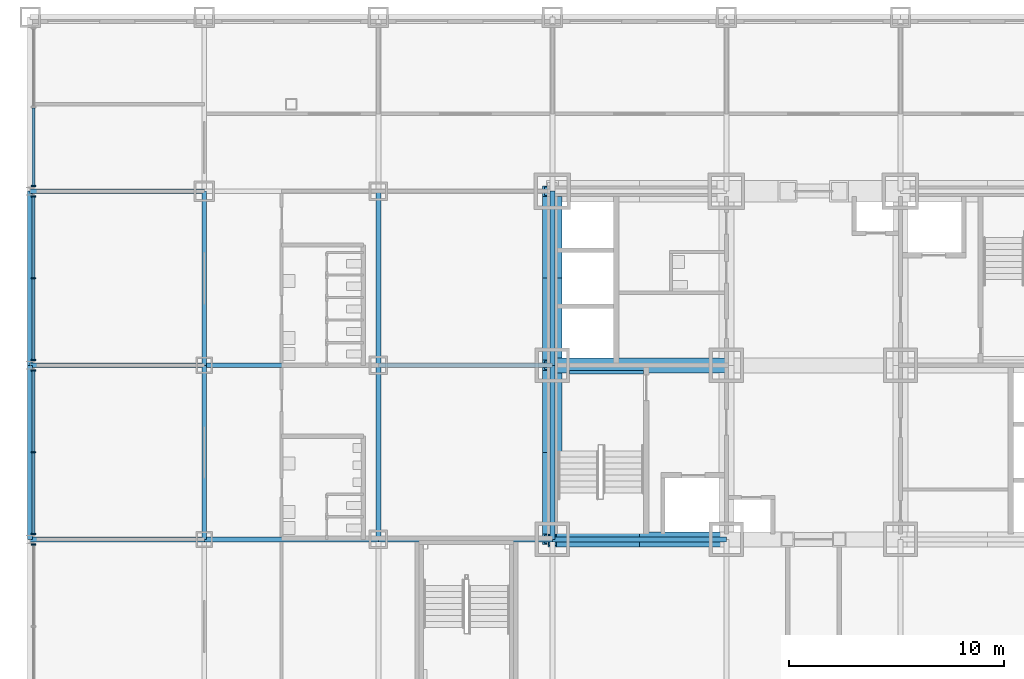
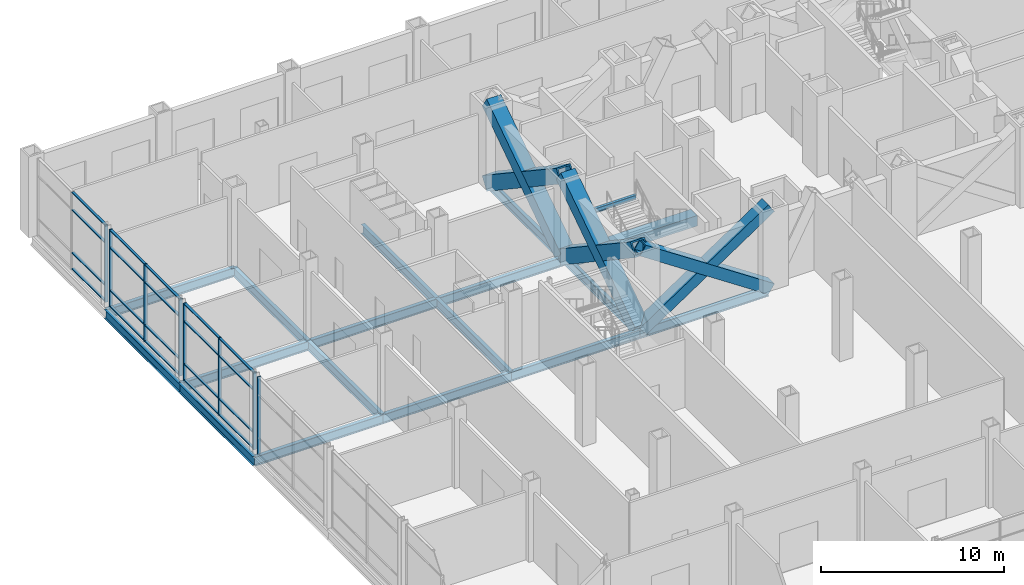
# One storey, part 14 of 30: 34 members, 18 beams, 4 elements without a shape of their own.
"""IFC4 building model written with IfcOpenShell, lengths in metres."""

from ifc_helpers import new_model, si_unit, direction, frame, origin, origin_2d, place, context, subcontext, project, spatial, rectangle, hollow_rectangle, i_section, extrude, material, material_profile, profile_set, type_object, element, aggregate, save


model = new_model("IFC4")

# Units and contexts
model_context = context("Model", 3, precision=1e-05, world=origin(), true_north=direction((0.0, 1.0)))
body_context = subcontext(model_context, "Body", "Model", "MODEL_VIEW")
ifc_project = project(units=[si_unit("LENGTHUNIT", "METRE"), si_unit("AREAUNIT", "SQUARE_METRE"), si_unit("VOLUMEUNIT", "CUBIC_METRE"), si_unit("PLANEANGLEUNIT", "RADIAN"), si_unit("MASSUNIT", "GRAM", prefix="KILO")], contexts=[model_context])

# Site, building, storey
site_placement = place(None, origin())
site = spatial("IfcSite", under=ifc_project, at=site_placement, CompositionType="ELEMENT")
building_placement = place(site_placement, origin())
building = spatial("IfcBuilding", under=site, at=building_placement, Name="Kopane Lantern Tower", CompositionType="ELEMENT")
storey_placement = place(building_placement, frame((0.0, 0.0, 6.0)))
storey = spatial("IfcBuildingStorey", under=building, at=storey_placement, Name="L01", CompositionType="ELEMENT", Elevation=6.0)

# Members
ifc_material_1 = material(Name="Steel S355JR", Category="steel")
ifc_material_profile_1 = material_profile(ifc_material_1, hollow_rectangle(XDim=0.699951171875, YDim=0.699951171875, WallThickness=0.06005859375, at=origin_2d()), Name="BOX 700x700x60")
ifc_profile_set_1 = profile_set([ifc_material_profile_1], Name="Steel S355JR")
member_type_1 = type_object("IfcMemberType", Name="BRACE BOX 700x700x60", PredefinedType="BRACE", material=ifc_profile_set_1)
for number, where, z_axis, x_axis, name in (
    (1, (16.199951171875, 24.300048828125, -0.25), (0.832058010752, 0.0, 0.55468862143), (0.0, 1.0, 0.0), "Core brace L01"),
    (2, (24.300048828125, 24.300048828125, -0.25), (-0.832058010752, 0.0, 0.55468862143), (0.0, -1.0, 0.0), "Core brace L01"),
):
    element("IfcMember", number, at=place(storey_placement, frame(where, z_axis=z_axis, x_axis=x_axis)), inside=storey, type_object=member_type_1, Name=name, PredefinedType="BRACE", context=body_context, shape_type="SweptSolid", body=[
        extrude(hollow_rectangle(XDim=0.699951171875, YDim=0.699951171875, WallThickness=0.06005859375, at=origin_2d()), origin(), (0.0, 0.0, 1.0), 9.735107421875),
    ])
ifc_material_2 = material(Name="Steel S355JR", Category="steel")
ifc_material_profile_2 = material_profile(ifc_material_2, hollow_rectangle(XDim=0.89990234375, YDim=0.89990234375, WallThickness=0.090087890625, at=origin_2d()), Name="BOX 900x900x90")
ifc_profile_set_2 = profile_set([ifc_material_profile_2], Name="Steel S355JR")
member_type_2 = type_object("IfcMemberType", Name="BRACE BOX 900x900x90", PredefinedType="BRACE", material=ifc_profile_set_2)
for number, where, z_axis, x_axis, name in (
    (3, (16.199951171875, 24.300048828125, -0.25), (0.0, 0.832050294338, 0.554700196225), (-1.0, 0.0, 0.0), "Core brace L01"),
    (4, (16.199951171875, 32.39990234375, -0.25), (0.0, -0.832050294338, 0.554700196225), (1.0, 0.0, 0.0), "Core brace L01"),
):
    element("IfcMember", number, at=place(storey_placement, frame(where, z_axis=z_axis, x_axis=x_axis)), inside=storey, type_object=member_type_2, Name=name, PredefinedType="BRACE", context=body_context, shape_type="SweptSolid", body=[
        extrude(hollow_rectangle(XDim=0.89990234375, YDim=0.89990234375, WallThickness=0.090087890625, at=origin_2d()), origin(), (0.0, 0.0, 1.0), 9.73486328125),
    ])
for number, where, z_axis, x_axis, name in (
    (5, (16.199951171875, 32.39990234375, -0.25), (0.0, 0.832058010752, 0.55468862143), (-1.0, 0.0, 0.0), "Core brace L01"),
    (6, (16.199951171875, 40.5, -0.25), (0.0, -0.832058010752, 0.55468862143), (1.0, 0.0, 0.0), "Core brace L01"),
):
    element("IfcMember", number, at=place(storey_placement, frame(where, z_axis=z_axis, x_axis=x_axis)), inside=storey, type_object=member_type_2, Name=name, PredefinedType="BRACE", context=body_context, shape_type="SweptSolid", body=[
        extrude(hollow_rectangle(XDim=0.89990234375, YDim=0.89990234375, WallThickness=0.090087890625, at=origin_2d()), origin(), (0.0, 0.0, 1.0), 9.735107421875),
    ])

# Beams
ifc_material_3 = material(Name="Steel S355JR", Category="steel")
ifc_material_profile_3 = material_profile(ifc_material_3, hollow_rectangle(XDim=0.699951171875, YDim=0.699951171875, WallThickness=0.06005859375, at=origin_2d()), Name="BOX 700x700x60")
ifc_profile_set_3 = profile_set([ifc_material_profile_3], Name="Steel S355JR")
beam_type_1 = type_object("IfcBeamType", Name="CORE BEAM BOX 700x700x60", PredefinedType="BEAM", material=ifc_profile_set_3)
beam_1_placement = place(storey_placement, frame((16.199951171875, 32.39990234375, -0.60009765625), z_axis=(1.0, 0.0, 0.0), x_axis=(0.0, 1.0, 0.0)))
element("IfcBeam", 7, at=beam_1_placement, inside=storey, type_object=beam_type_1, Name="Core Beam L01", PredefinedType="BEAM", context=body_context, shape_type="SweptSolid", body=[
    extrude(hollow_rectangle(XDim=0.699951171875, YDim=0.699951171875, WallThickness=0.06005859375, at=origin_2d()), origin(), (0.0, 0.0, 1.0), 8.10009765625),
])
ifc_material_4 = material(Name="Steel S355JR", Category="steel")
ifc_material_profile_4 = material_profile(ifc_material_4, i_section(OverallWidth=0.22900390625, OverallDepth=0.6123046875, WebThickness=0.011962890625, FlangeThickness=0.01953125, FilletRadius=0.0126953125, at=origin_2d()), Name="UB 610x229x125")
ifc_profile_set_4 = profile_set([ifc_material_profile_4], Name="Steel S355JR")
beam_type_2 = type_object("IfcBeamType", Name="GIRDER UB 610x229x125", PredefinedType="BEAM", material=ifc_profile_set_4)
beam_2_placement = place(storey_placement, frame((-8.10009765625, 24.300048828125, -0.55615234375), z_axis=(0.0, 1.0, 0.0), x_axis=(-1.0, 0.0, 0.0)))
element("IfcBeam", 8, at=beam_2_placement, inside=storey, type_object=beam_type_2, Name="Girder L01", PredefinedType="BEAM", context=body_context, shape_type="SweptSolid", body=[
    extrude(i_section(OverallWidth=0.22900390625, OverallDepth=0.6123046875, WebThickness=0.011962890625, FlangeThickness=0.01953125, FilletRadius=0.0126953125, at=origin_2d()), origin(), (0.0, 0.0, 1.0), 8.099853515625),
])
for number, where, z_axis, x_axis, name in (
    (9, (-8.10009765625, 24.300048828125, -0.55615234375), (1.0, 0.0, 0.0), (0.0, 1.0, 0.0), "Girder L01"),
    (10, (-8.10009765625, 32.39990234375, -0.55615234375), (0.0, 1.0, 0.0), (-1.0, 0.0, 0.0), "Girder L01"),
    (11, (-8.10009765625, 32.39990234375, -0.55615234375), (1.0, 0.0, 0.0), (0.0, 1.0, 0.0), "Girder L01"),
    (12, (-8.10009765625, 40.5, -0.55615234375), (1.0, 0.0, 0.0), (0.0, 1.0, 0.0), "Girder L01"),
):
    element("IfcBeam", number, at=place(storey_placement, frame(where, z_axis=z_axis, x_axis=x_axis)), inside=storey, type_object=beam_type_2, Name=name, PredefinedType="BEAM", context=body_context, shape_type="SweptSolid", body=[
        extrude(i_section(OverallWidth=0.22900390625, OverallDepth=0.6123046875, WebThickness=0.011962890625, FlangeThickness=0.01953125, FilletRadius=0.0126953125, at=origin_2d()), origin(), (0.0, 0.0, 1.0), 8.10009765625),
    ])
beam_3_placement = place(storey_placement, frame((0.0, 24.300048828125, -0.55615234375), z_axis=(0.0, 1.0, 0.0), x_axis=(-1.0, 0.0, 0.0)))
element("IfcBeam", 13, at=beam_3_placement, inside=storey, type_object=beam_type_2, Name="Girder L01", PredefinedType="BEAM", context=body_context, shape_type="SweptSolid", body=[
    extrude(i_section(OverallWidth=0.22900390625, OverallDepth=0.6123046875, WebThickness=0.011962890625, FlangeThickness=0.01953125, FilletRadius=0.0126953125, at=origin_2d()), origin(), (0.0, 0.0, 1.0), 8.099853515625),
])
for number, where, z_axis, x_axis, name in (
    (14, (0.0, 24.300048828125, -0.55615234375), (1.0, 0.0, 0.0), (0.0, 1.0, 0.0), "Girder L01"),
    (15, (0.0, 32.39990234375, -0.55615234375), (0.0, 1.0, 0.0), (-1.0, 0.0, 0.0), "Girder L01"),
    (16, (0.0, 32.39990234375, -0.55615234375), (1.0, 0.0, 0.0), (0.0, 1.0, 0.0), "Girder L01"),
):
    element("IfcBeam", number, at=place(storey_placement, frame(where, z_axis=z_axis, x_axis=x_axis)), inside=storey, type_object=beam_type_2, Name=name, PredefinedType="BEAM", context=body_context, shape_type="SweptSolid", body=[
        extrude(i_section(OverallWidth=0.22900390625, OverallDepth=0.6123046875, WebThickness=0.011962890625, FlangeThickness=0.01953125, FilletRadius=0.0126953125, at=origin_2d()), origin(), (0.0, 0.0, 1.0), 8.10009765625),
    ])
for number, where, z_axis, x_axis, name in (
    (17, (8.10009765625, 24.300048828125, -0.55615234375), (0.0, 1.0, 0.0), (-1.0, 0.0, 0.0), "Girder L01"),
    (18, (8.10009765625, 24.300048828125, -0.55615234375), (1.0, 0.0, 0.0), (0.0, 1.0, 0.0), "Girder L01"),
):
    element("IfcBeam", number, at=place(storey_placement, frame(where, z_axis=z_axis, x_axis=x_axis)), inside=storey, type_object=beam_type_2, Name=name, PredefinedType="BEAM", context=body_context, shape_type="SweptSolid", body=[
        extrude(i_section(OverallWidth=0.22900390625, OverallDepth=0.6123046875, WebThickness=0.011962890625, FlangeThickness=0.01953125, FilletRadius=0.0126953125, at=origin_2d()), origin(), (0.0, 0.0, 1.0), 8.099853515625),
    ])
beam_4_placement = place(storey_placement, frame((8.10009765625, 32.39990234375, -0.55615234375), z_axis=(0.0, 1.0, 0.0), x_axis=(-1.0, 0.0, 0.0)))
element("IfcBeam", 19, at=beam_4_placement, inside=storey, type_object=beam_type_2, Name="Girder L01", PredefinedType="BEAM", context=body_context, shape_type="SweptSolid", body=[
    extrude(i_section(OverallWidth=0.22900390625, OverallDepth=0.6123046875, WebThickness=0.011962890625, FlangeThickness=0.01953125, FilletRadius=0.0126953125, at=origin_2d()), origin(), (0.0, 0.0, 1.0), 8.10009765625),
])
for number, where, z_axis, x_axis, name in (
    (20, (8.10009765625, 32.39990234375, -0.55615234375), (1.0, 0.0, 0.0), (0.0, 1.0, 0.0), "Girder L01"),
    (21, (16.199951171875, 24.300048828125, -0.55615234375), (0.0, 1.0, 0.0), (-1.0, 0.0, 0.0), "Girder L01"),
):
    element("IfcBeam", number, at=place(storey_placement, frame(where, z_axis=z_axis, x_axis=x_axis)), inside=storey, type_object=beam_type_2, Name=name, PredefinedType="BEAM", context=body_context, shape_type="SweptSolid", body=[
        extrude(i_section(OverallWidth=0.22900390625, OverallDepth=0.6123046875, WebThickness=0.011962890625, FlangeThickness=0.01953125, FilletRadius=0.0126953125, at=origin_2d()), origin(), (0.0, 0.0, 1.0), 8.099853515625),
    ])
for number, where, z_axis, x_axis, name in (
    (22, (16.199951171875, 24.300048828125, -0.55615234375), (1.0, 0.0, 0.0), (0.0, 1.0, 0.0), "Girder L01"),
    (23, (16.199951171875, 32.39990234375, -0.55615234375), (0.0, 1.0, 0.0), (-1.0, 0.0, 0.0), "Girder L01"),
):
    element("IfcBeam", number, at=place(storey_placement, frame(where, z_axis=z_axis, x_axis=x_axis)), inside=storey, type_object=beam_type_2, Name=name, PredefinedType="BEAM", context=body_context, shape_type="SweptSolid", body=[
        extrude(i_section(OverallWidth=0.22900390625, OverallDepth=0.6123046875, WebThickness=0.011962890625, FlangeThickness=0.01953125, FilletRadius=0.0126953125, at=origin_2d()), origin(), (0.0, 0.0, 1.0), 8.10009765625),
    ])

# Curtain wall, member
ifc_material_5 = material(Name="Aluminium and clear glass", Category="aluminium")
curtain_wall_type = type_object("IfcCurtainWallType", Name="CURTAIN WALL CW1 PODIUM STOREFRONT", PredefinedType="USERDEFINED", material=ifc_material_5)
curtain_wall_1_placement = place(storey_placement, origin())
curtain_wall_1 = element("IfcCurtainWall", 24, at=curtain_wall_1_placement, inside=storey, type_object=curtain_wall_type, Name="Curtain wall CW1 W L01", ObjectType="CURTAIN WALL", PredefinedType="USERDEFINED")
ifc_material_6 = material(Name="Aluminium", Category="aluminium")
ifc_material_profile_5 = material_profile(ifc_material_6, rectangle(XDim=0.06494140625, YDim=0.199951171875, at=origin_2d()), Name="AL 65x200")
ifc_profile_set_5 = profile_set([ifc_material_profile_5], Name="Aluminium")
member_type_3 = type_object("IfcMemberType", Name="MULLION CW1-M 65x200", PredefinedType="MULLION", material=ifc_profile_set_5)
member_1_placement = place(storey_placement, frame((-7.949951171875, 40.74072265625, 0.0), z_axis=(0.0, 0.0, 1.0), x_axis=(0.0, -1.0, 0.0)))
member_1 = element("IfcMember", 25, at=member_1_placement, type_object=member_type_3, Name="CW1 mullion 3", PredefinedType="MULLION", context=body_context, shape_type="SweptSolid", body=[
    extrude(rectangle(XDim=0.06494140625, YDim=0.199951171875, at=origin_2d()), origin(), (0.0, 0.0, 1.0), 5.14990234375),
])

# Curtain wall, members
curtain_wall_2_placement = place(storey_placement, origin())
curtain_wall_2 = element("IfcCurtainWall", 26, at=curtain_wall_2_placement, inside=storey, type_object=curtain_wall_type, Name="Curtain wall CW1 W L01", ObjectType="CURTAIN WALL", PredefinedType="USERDEFINED")
member_2_placement = place(storey_placement, frame((-7.949951171875, 40.25927734375, 0.0), z_axis=(0.0, 0.0, 1.0), x_axis=(0.0, -1.0, 0.0)))
member_2 = element("IfcMember", 27, at=member_2_placement, type_object=member_type_3, Name="CW1 mullion 1", PredefinedType="MULLION", context=body_context, shape_type="SweptSolid", body=[
    extrude(rectangle(XDim=0.06494140625, YDim=0.199951171875, at=origin_2d()), origin(), (0.0, 0.0, 1.0), 5.14990234375),
])
member_3_placement = place(storey_placement, frame((-7.949951171875, 36.449951171875, 0.0), z_axis=(0.0, 0.0, 1.0), x_axis=(0.0, -1.0, 0.0)))
member_3 = element("IfcMember", 28, at=member_3_placement, type_object=member_type_3, Name="CW1 mullion 2", PredefinedType="MULLION", context=body_context, shape_type="SweptSolid", body=[
    extrude(rectangle(XDim=0.06494140625, YDim=0.199951171875, at=origin_2d()), origin(), (0.0, 0.0, 1.0), 5.14990234375),
])
member_4_placement = place(storey_placement, frame((-7.949951171875, 32.640625, 0.0), z_axis=(0.0, 0.0, 1.0), x_axis=(0.0, -1.0, 0.0)))
member_4 = element("IfcMember", 29, at=member_4_placement, type_object=member_type_3, Name="CW1 mullion 3", PredefinedType="MULLION", context=body_context, shape_type="SweptSolid", body=[
    extrude(rectangle(XDim=0.06494140625, YDim=0.199951171875, at=origin_2d()), origin(), (0.0, 0.0, 1.0), 5.14990234375),
])

curtain_wall_3_placement = place(storey_placement, origin())
curtain_wall_3 = element("IfcCurtainWall", 30, at=curtain_wall_3_placement, inside=storey, type_object=curtain_wall_type, Name="Curtain wall CW1 W L01", ObjectType="CURTAIN WALL", PredefinedType="USERDEFINED")
member_5_placement = place(storey_placement, frame((-7.949951171875, 32.1591796875, 0.0), z_axis=(0.0, 0.0, 1.0), x_axis=(0.0, -1.0, 0.0)))
member_5 = element("IfcMember", 31, at=member_5_placement, type_object=member_type_3, Name="CW1 mullion 1", PredefinedType="MULLION", context=body_context, shape_type="SweptSolid", body=[
    extrude(rectangle(XDim=0.06494140625, YDim=0.199951171875, at=origin_2d()), origin(), (0.0, 0.0, 1.0), 5.14990234375),
])
member_6_placement = place(storey_placement, frame((-7.949951171875, 28.35009765625, 0.0), z_axis=(0.0, 0.0, 1.0), x_axis=(0.0, -1.0, 0.0)))
member_6 = element("IfcMember", 32, at=member_6_placement, type_object=member_type_3, Name="CW1 mullion 2", PredefinedType="MULLION", context=body_context, shape_type="SweptSolid", body=[
    extrude(rectangle(XDim=0.06494140625, YDim=0.199951171875, at=origin_2d()), origin(), (0.0, 0.0, 1.0), 5.14990234375),
])
member_7_placement = place(storey_placement, frame((-7.949951171875, 24.540771484375, 0.0), z_axis=(0.0, 0.0, 1.0), x_axis=(0.0, -1.0, 0.0)))
member_7 = element("IfcMember", 33, at=member_7_placement, type_object=member_type_3, Name="CW1 mullion 3", PredefinedType="MULLION", context=body_context, shape_type="SweptSolid", body=[
    extrude(rectangle(XDim=0.06494140625, YDim=0.199951171875, at=origin_2d()), origin(), (0.0, 0.0, 1.0), 5.14990234375),
])

# Curtain wall, member
curtain_wall_4_placement = place(storey_placement, origin())
curtain_wall_4 = element("IfcCurtainWall", 34, at=curtain_wall_4_placement, inside=storey, type_object=curtain_wall_type, Name="Curtain wall CW1 W L01", ObjectType="CURTAIN WALL", PredefinedType="USERDEFINED")
member_8_placement = place(storey_placement, frame((-7.949951171875, 24.059326171875, 0.0), z_axis=(0.0, 0.0, 1.0), x_axis=(0.0, -1.0, 0.0)))
member_8 = element("IfcMember", 35, at=member_8_placement, type_object=member_type_3, Name="CW1 mullion 1", PredefinedType="MULLION", context=body_context, shape_type="SweptSolid", body=[
    extrude(rectangle(XDim=0.06494140625, YDim=0.199951171875, at=origin_2d()), origin(), (0.0, 0.0, 1.0), 5.14990234375),
])
aggregate(curtain_wall_4, [member_8])

# Beam
ifc_material_7 = material(Name="Steel S355JR", Category="steel")
ifc_material_profile_6 = material_profile(ifc_material_7, i_section(OverallWidth=0.1650390625, OverallDepth=0.303466796875, WebThickness=0.006103515625, FlangeThickness=0.01025390625, FilletRadius=0.0087890625, at=origin_2d()), Name="UB 305x165x40")
ifc_profile_set_6 = profile_set([ifc_material_profile_6], Name="Steel S355JR")
beam_type_3 = type_object("IfcBeamType", Name="STAIR LANDING BEAM UB 305x165x40", PredefinedType="BEAM", material=ifc_profile_set_6)
beam_5_placement = place(storey_placement, frame((17.0, 32.0673828125, 2.348388671875), z_axis=(1.0, 0.0, 0.0), x_axis=(0.0, 1.0, 0.0)))
element("IfcBeam", 36, at=beam_5_placement, inside=storey, type_object=beam_type_3, Name="Stair landing beam ST1 L01", PredefinedType="BEAM", context=body_context, shape_type="SweptSolid", body=[
    extrude(i_section(OverallWidth=0.1650390625, OverallDepth=0.303466796875, WebThickness=0.006103515625, FlangeThickness=0.01025390625, FilletRadius=0.0087890625, at=origin_2d()), origin(), (0.0, 0.0, 1.0), 3.449951171875),
])

# Member
ifc_material_8 = material(Name="Aluminium", Category="aluminium")
ifc_material_profile_7 = material_profile(ifc_material_8, rectangle(XDim=0.14990234375, YDim=0.06494140625, at=origin_2d()), Name="AL 150x65")
ifc_profile_set_7 = profile_set([ifc_material_profile_7], Name="Aluminium")
member_type_4 = type_object("IfcMemberType", Name="TRANSOM CW1-T 65x150", PredefinedType="USERDEFINED", material=ifc_profile_set_7)
member_9_placement = place(storey_placement, frame((-7.949951171875, 44.381591796875, 0.032470703125), z_axis=(0.0, -1.0, 0.0), x_axis=(1.0, 0.0, 0.0)))
member_9 = element("IfcMember", 37, at=member_9_placement, type_object=member_type_4, Name="CW1 transom 2.1", ObjectType="TRANSOM", PredefinedType="USERDEFINED", context=body_context, shape_type="SweptSolid", body=[
    extrude(rectangle(XDim=0.14990234375, YDim=0.06494140625, at=origin_2d()), origin(), (0.0, 0.0, 1.0), 3.6083984375),
])

member_10_placement = place(storey_placement, frame((-7.949951171875, 44.381591796875, 1.10009765625), z_axis=(0.0, -1.0, 0.0), x_axis=(1.0, 0.0, 0.0)))
member_10 = element("IfcMember", 38, at=member_10_placement, type_object=member_type_4, Name="CW1 transom 2.2", ObjectType="TRANSOM", PredefinedType="USERDEFINED", context=body_context, shape_type="SweptSolid", body=[
    extrude(rectangle(XDim=0.14990234375, YDim=0.06494140625, at=origin_2d()), origin(), (0.0, 0.0, 1.0), 3.6083984375),
])

member_11_placement = place(storey_placement, frame((-7.949951171875, 44.381591796875, 3.949951171875), z_axis=(0.0, -1.0, 0.0), x_axis=(1.0, 0.0, 0.0)))
member_11 = element("IfcMember", 39, at=member_11_placement, type_object=member_type_4, Name="CW1 transom 2.3", ObjectType="TRANSOM", PredefinedType="USERDEFINED", context=body_context, shape_type="SweptSolid", body=[
    extrude(rectangle(XDim=0.14990234375, YDim=0.06494140625, at=origin_2d()), origin(), (0.0, 0.0, 1.0), 3.6083984375),
])

member_12_placement = place(storey_placement, frame((-7.949951171875, 44.381591796875, 5.117431640625), z_axis=(0.0, -1.0, 0.0), x_axis=(1.0, 0.0, 0.0)))
member_12 = element("IfcMember", 40, at=member_12_placement, type_object=member_type_4, Name="CW1 transom 2.4", ObjectType="TRANSOM", PredefinedType="USERDEFINED", context=body_context, shape_type="SweptSolid", body=[
    extrude(rectangle(XDim=0.14990234375, YDim=0.06494140625, at=origin_2d()), origin(), (0.0, 0.0, 1.0), 3.6083984375),
])

aggregate(curtain_wall_1, [member_1, member_9, member_10, member_11, member_12])

member_13_placement = place(storey_placement, frame((-7.949951171875, 40.226806640625, 0.032470703125), z_axis=(0.0, -1.0, 0.0), x_axis=(1.0, 0.0, 0.0)))
member_13 = element("IfcMember", 41, at=member_13_placement, type_object=member_type_4, Name="CW1 transom 1.1", ObjectType="TRANSOM", PredefinedType="USERDEFINED", context=body_context, shape_type="SweptSolid", body=[
    extrude(rectangle(XDim=0.14990234375, YDim=0.06494140625, at=origin_2d()), origin(), (0.0, 0.0, 1.0), 3.744384765625),
])

member_14_placement = place(storey_placement, frame((-7.949951171875, 40.226806640625, 1.10009765625), z_axis=(0.0, -1.0, 0.0), x_axis=(1.0, 0.0, 0.0)))
member_14 = element("IfcMember", 42, at=member_14_placement, type_object=member_type_4, Name="CW1 transom 1.2", ObjectType="TRANSOM", PredefinedType="USERDEFINED", context=body_context, shape_type="SweptSolid", body=[
    extrude(rectangle(XDim=0.14990234375, YDim=0.06494140625, at=origin_2d()), origin(), (0.0, 0.0, 1.0), 3.744384765625),
])

member_15_placement = place(storey_placement, frame((-7.949951171875, 40.226806640625, 3.949951171875), z_axis=(0.0, -1.0, 0.0), x_axis=(1.0, 0.0, 0.0)))
member_15 = element("IfcMember", 43, at=member_15_placement, type_object=member_type_4, Name="CW1 transom 1.3", ObjectType="TRANSOM", PredefinedType="USERDEFINED", context=body_context, shape_type="SweptSolid", body=[
    extrude(rectangle(XDim=0.14990234375, YDim=0.06494140625, at=origin_2d()), origin(), (0.0, 0.0, 1.0), 3.744384765625),
])

member_16_placement = place(storey_placement, frame((-7.949951171875, 40.226806640625, 5.117431640625), z_axis=(0.0, -1.0, 0.0), x_axis=(1.0, 0.0, 0.0)))
member_16 = element("IfcMember", 44, at=member_16_placement, type_object=member_type_4, Name="CW1 transom 1.4", ObjectType="TRANSOM", PredefinedType="USERDEFINED", context=body_context, shape_type="SweptSolid", body=[
    extrude(rectangle(XDim=0.14990234375, YDim=0.06494140625, at=origin_2d()), origin(), (0.0, 0.0, 1.0), 3.744384765625),
])

member_17_placement = place(storey_placement, frame((-7.949951171875, 36.41748046875, 0.032470703125), z_axis=(0.0, -1.0, 0.0), x_axis=(1.0, 0.0, 0.0)))
member_17 = element("IfcMember", 45, at=member_17_placement, type_object=member_type_4, Name="CW1 transom 2.1", ObjectType="TRANSOM", PredefinedType="USERDEFINED", context=body_context, shape_type="SweptSolid", body=[
    extrude(rectangle(XDim=0.14990234375, YDim=0.06494140625, at=origin_2d()), origin(), (0.0, 0.0, 1.0), 3.744384765625),
])

member_18_placement = place(storey_placement, frame((-7.949951171875, 36.41748046875, 1.10009765625), z_axis=(0.0, -1.0, 0.0), x_axis=(1.0, 0.0, 0.0)))
member_18 = element("IfcMember", 46, at=member_18_placement, type_object=member_type_4, Name="CW1 transom 2.2", ObjectType="TRANSOM", PredefinedType="USERDEFINED", context=body_context, shape_type="SweptSolid", body=[
    extrude(rectangle(XDim=0.14990234375, YDim=0.06494140625, at=origin_2d()), origin(), (0.0, 0.0, 1.0), 3.744384765625),
])

member_19_placement = place(storey_placement, frame((-7.949951171875, 36.41748046875, 3.949951171875), z_axis=(0.0, -1.0, 0.0), x_axis=(1.0, 0.0, 0.0)))
member_19 = element("IfcMember", 47, at=member_19_placement, type_object=member_type_4, Name="CW1 transom 2.3", ObjectType="TRANSOM", PredefinedType="USERDEFINED", context=body_context, shape_type="SweptSolid", body=[
    extrude(rectangle(XDim=0.14990234375, YDim=0.06494140625, at=origin_2d()), origin(), (0.0, 0.0, 1.0), 3.744384765625),
])

member_20_placement = place(storey_placement, frame((-7.949951171875, 36.41748046875, 5.117431640625), z_axis=(0.0, -1.0, 0.0), x_axis=(1.0, 0.0, 0.0)))
member_20 = element("IfcMember", 48, at=member_20_placement, type_object=member_type_4, Name="CW1 transom 2.4", ObjectType="TRANSOM", PredefinedType="USERDEFINED", context=body_context, shape_type="SweptSolid", body=[
    extrude(rectangle(XDim=0.14990234375, YDim=0.06494140625, at=origin_2d()), origin(), (0.0, 0.0, 1.0), 3.744384765625),
])

aggregate(curtain_wall_2, [member_2, member_3, member_4, member_13, member_14, member_15, member_16, member_17, member_18, member_19, member_20])

member_21_placement = place(storey_placement, frame((-7.949951171875, 32.126708984375, 0.032470703125), z_axis=(0.0, -1.0, 0.0), x_axis=(1.0, 0.0, 0.0)))
member_21 = element("IfcMember", 49, at=member_21_placement, type_object=member_type_4, Name="CW1 transom 1.1", ObjectType="TRANSOM", PredefinedType="USERDEFINED", context=body_context, shape_type="SweptSolid", body=[
    extrude(rectangle(XDim=0.14990234375, YDim=0.06494140625, at=origin_2d()), origin(), (0.0, 0.0, 1.0), 3.744140625),
])

member_22_placement = place(storey_placement, frame((-7.949951171875, 32.126708984375, 1.10009765625), z_axis=(0.0, -1.0, 0.0), x_axis=(1.0, 0.0, 0.0)))
member_22 = element("IfcMember", 50, at=member_22_placement, type_object=member_type_4, Name="CW1 transom 1.2", ObjectType="TRANSOM", PredefinedType="USERDEFINED", context=body_context, shape_type="SweptSolid", body=[
    extrude(rectangle(XDim=0.14990234375, YDim=0.06494140625, at=origin_2d()), origin(), (0.0, 0.0, 1.0), 3.744140625),
])

member_23_placement = place(storey_placement, frame((-7.949951171875, 32.126708984375, 3.949951171875), z_axis=(0.0, -1.0, 0.0), x_axis=(1.0, 0.0, 0.0)))
member_23 = element("IfcMember", 51, at=member_23_placement, type_object=member_type_4, Name="CW1 transom 1.3", ObjectType="TRANSOM", PredefinedType="USERDEFINED", context=body_context, shape_type="SweptSolid", body=[
    extrude(rectangle(XDim=0.14990234375, YDim=0.06494140625, at=origin_2d()), origin(), (0.0, 0.0, 1.0), 3.744140625),
])

member_24_placement = place(storey_placement, frame((-7.949951171875, 32.126708984375, 5.117431640625), z_axis=(0.0, -1.0, 0.0), x_axis=(1.0, 0.0, 0.0)))
member_24 = element("IfcMember", 52, at=member_24_placement, type_object=member_type_4, Name="CW1 transom 1.4", ObjectType="TRANSOM", PredefinedType="USERDEFINED", context=body_context, shape_type="SweptSolid", body=[
    extrude(rectangle(XDim=0.14990234375, YDim=0.06494140625, at=origin_2d()), origin(), (0.0, 0.0, 1.0), 3.744140625),
])

member_25_placement = place(storey_placement, frame((-7.949951171875, 28.3173828125, 0.032470703125), z_axis=(0.0, -1.0, 0.0), x_axis=(1.0, 0.0, 0.0)))
member_25 = element("IfcMember", 53, at=member_25_placement, type_object=member_type_4, Name="CW1 transom 2.1", ObjectType="TRANSOM", PredefinedType="USERDEFINED", context=body_context, shape_type="SweptSolid", body=[
    extrude(rectangle(XDim=0.14990234375, YDim=0.06494140625, at=origin_2d()), origin(), (0.0, 0.0, 1.0), 3.744140625),
])

member_26_placement = place(storey_placement, frame((-7.949951171875, 28.3173828125, 1.10009765625), z_axis=(0.0, -1.0, 0.0), x_axis=(1.0, 0.0, 0.0)))
member_26 = element("IfcMember", 54, at=member_26_placement, type_object=member_type_4, Name="CW1 transom 2.2", ObjectType="TRANSOM", PredefinedType="USERDEFINED", context=body_context, shape_type="SweptSolid", body=[
    extrude(rectangle(XDim=0.14990234375, YDim=0.06494140625, at=origin_2d()), origin(), (0.0, 0.0, 1.0), 3.744140625),
])

member_27_placement = place(storey_placement, frame((-7.949951171875, 28.3173828125, 3.949951171875), z_axis=(0.0, -1.0, 0.0), x_axis=(1.0, 0.0, 0.0)))
member_27 = element("IfcMember", 55, at=member_27_placement, type_object=member_type_4, Name="CW1 transom 2.3", ObjectType="TRANSOM", PredefinedType="USERDEFINED", context=body_context, shape_type="SweptSolid", body=[
    extrude(rectangle(XDim=0.14990234375, YDim=0.06494140625, at=origin_2d()), origin(), (0.0, 0.0, 1.0), 3.744140625),
])

member_28_placement = place(storey_placement, frame((-7.949951171875, 28.3173828125, 5.117431640625), z_axis=(0.0, -1.0, 0.0), x_axis=(1.0, 0.0, 0.0)))
member_28 = element("IfcMember", 56, at=member_28_placement, type_object=member_type_4, Name="CW1 transom 2.4", ObjectType="TRANSOM", PredefinedType="USERDEFINED", context=body_context, shape_type="SweptSolid", body=[
    extrude(rectangle(XDim=0.14990234375, YDim=0.06494140625, at=origin_2d()), origin(), (0.0, 0.0, 1.0), 3.744140625),
])

aggregate(curtain_wall_3, [member_5, member_6, member_7, member_21, member_22, member_23, member_24, member_25, member_26, member_27, member_28])

save(model, "model.ifc")
